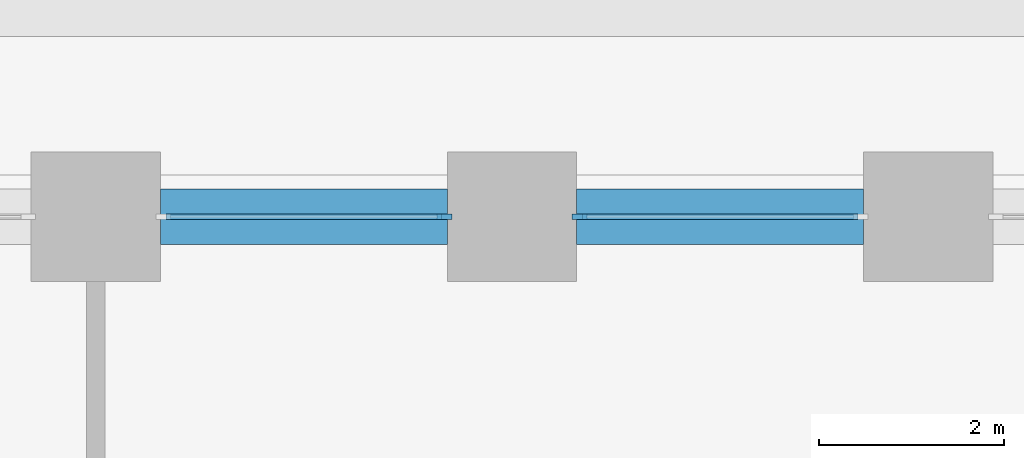
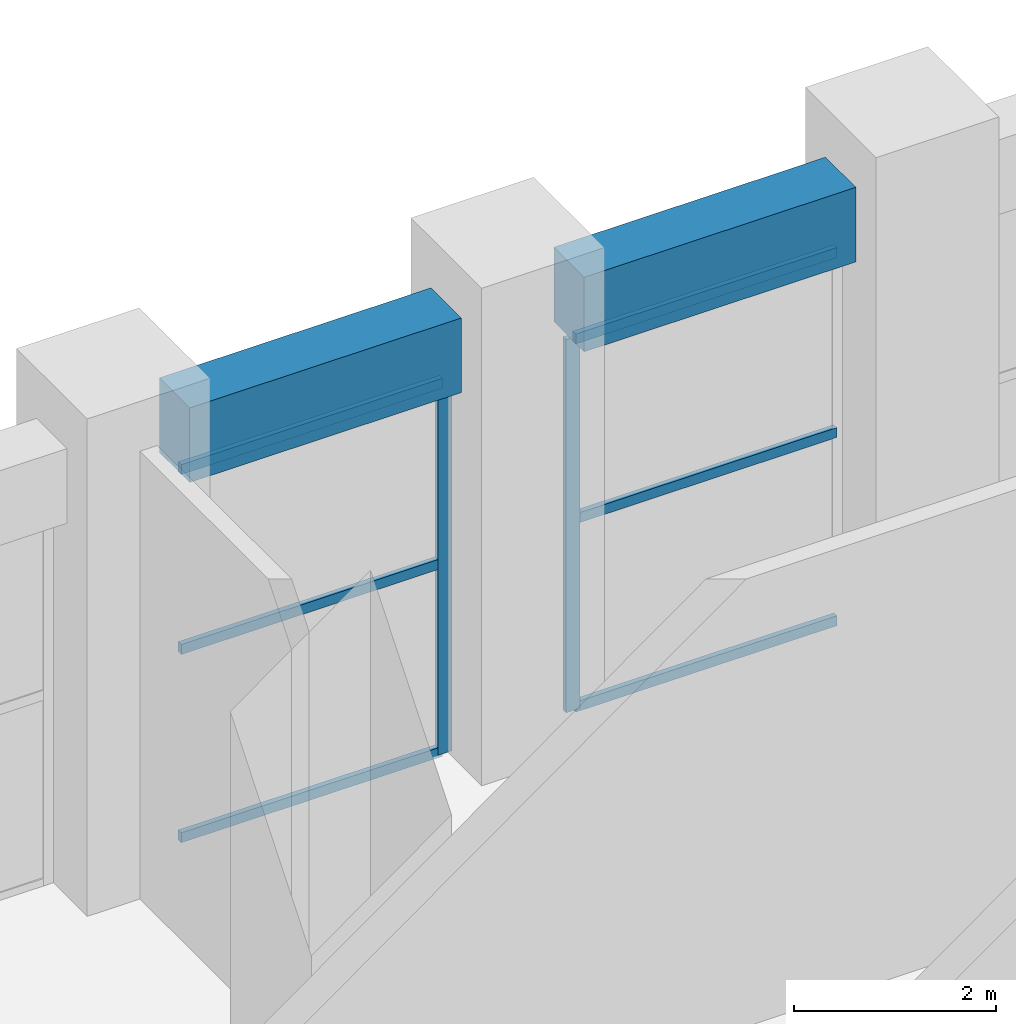
# One storey, part 7 of 19: 8 members, 2 beams, 2 elements without a shape of their own.
"""IFC4 building model written with IfcOpenShell, lengths in metres."""

from ifc_helpers import new_model, si_unit, direction, frame, origin, origin_2d, place, context, subcontext, project, spatial, rectangle, extrude, material, material_profile, profile_set, type_object, element, aggregate, save


model = new_model("IFC4")

# Units and contexts
model_context = context("Model", 3, precision=1e-05, world=origin(), true_north=direction((0.0, 1.0)))
body_context = subcontext(model_context, "Body", "Model", "MODEL_VIEW")
ifc_project = project(units=[si_unit("LENGTHUNIT", "METRE"), si_unit("AREAUNIT", "SQUARE_METRE"), si_unit("VOLUMEUNIT", "CUBIC_METRE"), si_unit("PLANEANGLEUNIT", "RADIAN"), si_unit("MASSUNIT", "GRAM", prefix="KILO")], contexts=[model_context])

# Site, building, storey
site_placement = place(None, origin())
site = spatial("IfcSite", under=ifc_project, at=site_placement, CompositionType="ELEMENT")
building_placement = place(site_placement, origin())
building = spatial("IfcBuilding", under=site, at=building_placement, Name="Corbel Stack Research Tower", CompositionType="ELEMENT")
storey_placement = place(building_placement, frame((0.0, 0.0, 70.60009765625)))
storey = spatial("IfcBuildingStorey", under=building, at=storey_placement, Name="L16", CompositionType="ELEMENT", Elevation=70.60009765625)

# Curtain wall, member
ifc_material_1 = material(Name="Aluminium frame, clear glass", Category="aluminium")
curtain_wall_type = type_object("IfcCurtainWallType", Name="Amenity floor curtain wall CW2", PredefinedType="NOTDEFINED", material=ifc_material_1)
curtain_wall_1_placement = place(storey_placement, origin())
curtain_wall_1 = element("IfcCurtainWall", 1, at=curtain_wall_1_placement, inside=storey, type_object=curtain_wall_type, Name="Curtain wall CW2 L16 N05", PredefinedType="NOTDEFINED")
ifc_material_2 = material(Name="Aluminium mullion", Category="aluminium")
ifc_material_profile_1 = material_profile(ifc_material_2, rectangle(XDim=0.06005859375, YDim=0.159912109375, at=origin_2d()), Name="Mullion 60 x 160")
ifc_profile_set_1 = profile_set([ifc_material_profile_1], Name="Aluminium mullion")
member_type_1 = type_object("IfcMemberType", Name="Curtain wall mullion 60 x 160", PredefinedType="MULLION", material=ifc_profile_set_1)
member_1_placement = place(storey_placement, frame((5.22998046875, 27.0, 0.0), z_axis=(0.0, 0.0, 1.0), x_axis=(0.0, -1.0, 0.0)))
member_1 = element("IfcMember", 2, at=member_1_placement, type_object=member_type_1, Name="CW2 L16 N05 mullion 2", PredefinedType="MULLION", context=body_context, shape_type="SweptSolid", body=[
    extrude(rectangle(XDim=0.06005859375, YDim=0.159912109375, at=origin_2d()), origin(), (0.0, 0.0, 1.0), 4.5),
])

curtain_wall_2_placement = place(storey_placement, origin())
curtain_wall_2 = element("IfcCurtainWall", 3, at=curtain_wall_2_placement, inside=storey, type_object=curtain_wall_type, Name="Curtain wall CW2 L16 N06", PredefinedType="NOTDEFINED")
member_2_placement = place(storey_placement, frame((3.77001953125, 27.0, 0.0), z_axis=(0.0, 0.0, 1.0), x_axis=(0.0, -1.0, 0.0)))
member_2 = element("IfcMember", 4, at=member_2_placement, type_object=member_type_1, Name="CW2 L16 N06 mullion 1", PredefinedType="MULLION", context=body_context, shape_type="SweptSolid", body=[
    extrude(rectangle(XDim=0.06005859375, YDim=0.159912109375, at=origin_2d()), origin(), (0.0, 0.0, 1.0), 4.5),
])

# Member
ifc_material_3 = material(Name="Aluminium transom", Category="aluminium")
ifc_material_profile_2 = material_profile(ifc_material_3, rectangle(XDim=0.06005859375, YDim=0.1201171875, at=origin_2d()), Name="Transom 60 x 120")
ifc_profile_set_2 = profile_set([ifc_material_profile_2], Name="Aluminium transom")
member_type_2 = type_object("IfcMemberType", Name="Curtain wall transom 60 x 120", PredefinedType="USERDEFINED", material=ifc_profile_set_2)
member_3_placement = place(storey_placement, frame((8.239990234375, 27.0, 0.02978515625), z_axis=(-1.0, 0.0, 0.0), x_axis=(0.0, -1.0, 0.0)))
member_3 = element("IfcMember", 5, at=member_3_placement, type_object=member_type_2, Name="CW2 L16 N05 transom 1.1", ObjectType="TRANSOM", PredefinedType="USERDEFINED", context=body_context, shape_type="SweptSolid", body=[
    extrude(rectangle(XDim=0.06005859375, YDim=0.1201171875, at=origin_2d()), origin(), (0.0, 0.0, 1.0), 2.97998046875),
])

member_4_placement = place(storey_placement, frame((8.239990234375, 27.0, 2.2998046875), z_axis=(-1.0, 0.0, 0.0), x_axis=(0.0, -1.0, 0.0)))
member_4 = element("IfcMember", 6, at=member_4_placement, type_object=member_type_2, Name="CW2 L16 N05 transom 1.2", ObjectType="TRANSOM", PredefinedType="USERDEFINED", context=body_context, shape_type="SweptSolid", body=[
    extrude(rectangle(XDim=0.06005859375, YDim=0.1201171875, at=origin_2d()), origin(), (0.0, 0.0, 1.0), 2.97998046875),
])

member_5_placement = place(storey_placement, frame((8.239990234375, 27.0, 4.469970703125), z_axis=(-1.0, 0.0, 0.0), x_axis=(0.0, -1.0, 0.0)))
member_5 = element("IfcMember", 7, at=member_5_placement, type_object=member_type_2, Name="CW2 L16 N05 transom 1.3", ObjectType="TRANSOM", PredefinedType="USERDEFINED", context=body_context, shape_type="SweptSolid", body=[
    extrude(rectangle(XDim=0.06005859375, YDim=0.1201171875, at=origin_2d()), origin(), (0.0, 0.0, 1.0), 2.97998046875),
])

aggregate(curtain_wall_1, [member_1, member_3, member_4, member_5])

member_6_placement = place(storey_placement, frame((3.739990234375, 27.0, 0.02978515625), z_axis=(-1.0, 0.0, 0.0), x_axis=(0.0, -1.0, 0.0)))
member_6 = element("IfcMember", 8, at=member_6_placement, type_object=member_type_2, Name="CW2 L16 N06 transom 1.1", ObjectType="TRANSOM", PredefinedType="USERDEFINED", context=body_context, shape_type="SweptSolid", body=[
    extrude(rectangle(XDim=0.06005859375, YDim=0.1201171875, at=origin_2d()), origin(), (0.0, 0.0, 1.0), 2.97998046875),
])

member_7_placement = place(storey_placement, frame((3.739990234375, 27.0, 2.2998046875), z_axis=(-1.0, 0.0, 0.0), x_axis=(0.0, -1.0, 0.0)))
member_7 = element("IfcMember", 9, at=member_7_placement, type_object=member_type_2, Name="CW2 L16 N06 transom 1.2", ObjectType="TRANSOM", PredefinedType="USERDEFINED", context=body_context, shape_type="SweptSolid", body=[
    extrude(rectangle(XDim=0.06005859375, YDim=0.1201171875, at=origin_2d()), origin(), (0.0, 0.0, 1.0), 2.97998046875),
])

member_8_placement = place(storey_placement, frame((3.739990234375, 27.0, 4.469970703125), z_axis=(-1.0, 0.0, 0.0), x_axis=(0.0, -1.0, 0.0)))
member_8 = element("IfcMember", 10, at=member_8_placement, type_object=member_type_2, Name="CW2 L16 N06 transom 1.3", ObjectType="TRANSOM", PredefinedType="USERDEFINED", context=body_context, shape_type="SweptSolid", body=[
    extrude(rectangle(XDim=0.06005859375, YDim=0.1201171875, at=origin_2d()), origin(), (0.0, 0.0, 1.0), 2.97998046875),
])

aggregate(curtain_wall_2, [member_2, member_6, member_7, member_8])

# Beams
ifc_material_4 = material(Name="Concrete C60/75", Category="concrete")
ifc_material_profile_3 = material_profile(ifc_material_4, rectangle(XDim=0.60009765625, YDim=0.89990234375, at=origin_2d()), Name="RC 600 x 900")
ifc_profile_set_3 = profile_set([ifc_material_profile_3], Name="Concrete C60/75")
beam_type = type_object("IfcBeamType", Name="SB-600-900-600", PredefinedType="SPANDREL", material=ifc_profile_set_3)
for number, where, z_axis, x_axis, name in (
    (11, (8.300048828125, 27.0, 4.949951171875), (-1.0, 0.0, 0.0), (0.0, -1.0, 0.0), "Spandrel beam L16-27"),
    (12, (3.800048828125, 27.0, 4.949951171875), (-1.0, 0.0, 0.0), (0.0, -1.0, 0.0), "Spandrel beam L16-28"),
):
    element("IfcBeam", number, at=place(storey_placement, frame(where, z_axis=z_axis, x_axis=x_axis)), inside=storey, type_object=beam_type, Name=name, PredefinedType="SPANDREL", context=body_context, shape_type="SweptSolid", body=[
        extrude(rectangle(XDim=0.60009765625, YDim=0.89990234375, at=origin_2d()), origin(), (0.0, 0.0, 1.0), 3.10009765625),
    ])

save(model, "model.ifc")
